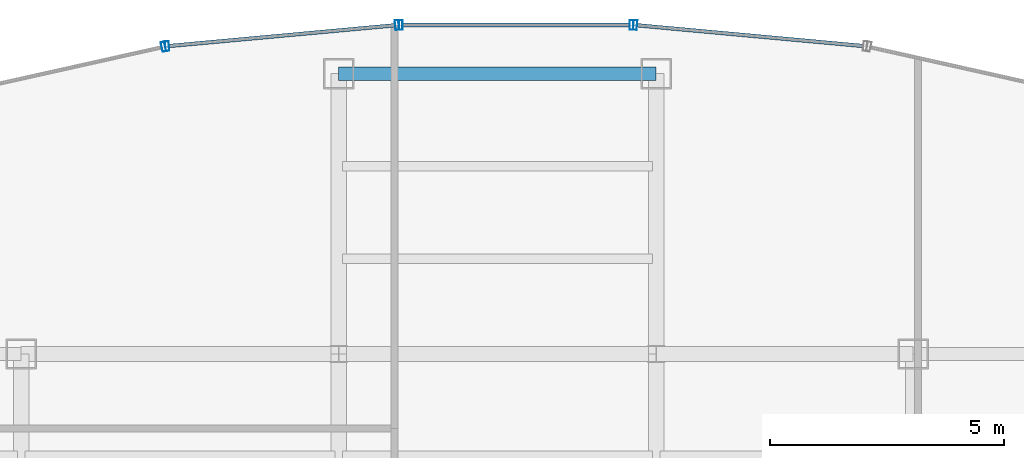
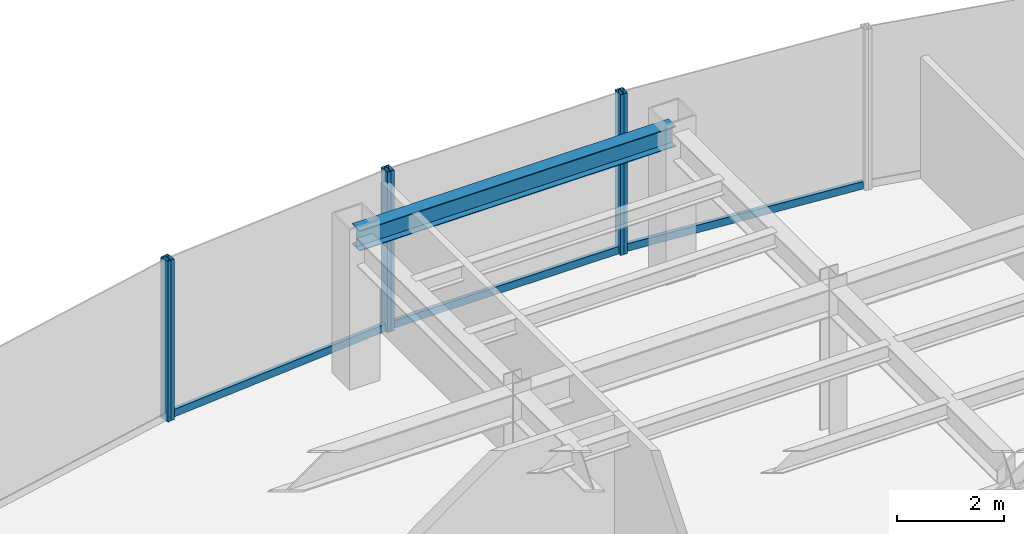
# One storey, part 16 of 25: 9 members, 1 beam, 4 elements without a shape of their own.
"""IFC4 building model written with IfcOpenShell, lengths in metres."""

from ifc_helpers import new_model, si_unit, derived_unit, direction, frame, origin, origin_2d, place, context, subcontext, project, spatial, hollow_rectangle, i_section, extrude, source, transform, mapped, material, material_profile, profile_set, type_object, element, aggregate, save


model = new_model("IFC4")

# Units and contexts
model_context = context("Model", 3, precision=1e-05, world=origin(), true_north=direction((0.0, 1.0)))
body_context = subcontext(model_context, "Body", "Model", "MODEL_VIEW")
ifc_project = project(units=[si_unit("LENGTHUNIT", "METRE"), si_unit("AREAUNIT", "SQUARE_METRE"), si_unit("VOLUMEUNIT", "CUBIC_METRE"), si_unit("PLANEANGLEUNIT", "RADIAN"), si_unit("MASSUNIT", "GRAM", prefix="KILO"), derived_unit("THERMALTRANSMITTANCEUNIT", [(si_unit("POWERUNIT", "WATT"), 1), (si_unit("LENGTHUNIT", "METRE"), -2), (si_unit("THERMODYNAMICTEMPERATUREUNIT", "KELVIN"), -1)])], contexts=[model_context])

# Site, building, storey
site_placement = place(None, origin())
site = spatial("IfcSite", under=ifc_project, at=site_placement, CompositionType="ELEMENT")
building_placement = place(site_placement, origin())
building = spatial("IfcBuilding", under=site, at=building_placement, Name="Skarnbrae Concourse Arena and Tower", CompositionType="ELEMENT")
storey_placement = place(building_placement, frame((0.0, 0.0, 155.199951171875)))
storey = spatial("IfcBuildingStorey", under=building, at=storey_placement, Name="L39", CompositionType="ELEMENT", Elevation=155.199951171875)

# Beam
ifc_material_1 = material(Name="Steel CSA G40.21 350W", Category="steel")
ifc_material_profile_1 = material_profile(ifc_material_1, i_section(OverallWidth=0.280029296875, OverallDepth=0.462890625, WebThickness=0.0107421875, FlangeThickness=0.017333984375, at=origin_2d()), Name="W460X113")
ifc_profile_set_1 = profile_set([ifc_material_profile_1], Name="Steel CSA G40.21 350W")
beam_type = type_object("IfcBeamType", Name="BM-SPAN-W460X113", PredefinedType="SPANDREL", material=ifc_profile_set_1)
shared_shape_1 = source(origin(), body_context, "Body", "SweptSolid", [
    extrude(i_section(OverallWidth=0.280029296875, OverallDepth=0.462890625, WebThickness=0.0107421875, FlangeThickness=0.017333984375, at=origin_2d()), origin(), (0.0, 0.0, 1.0), 6.800048828125),
])
beam_placement = place(storey_placement, frame((21.199951171875, 40.39990234375, 3.16845703125), z_axis=(1.0, 0.0, 0.0), x_axis=(0.0, 1.0, 0.0)))
element("IfcBeam", 1, at=beam_placement, inside=storey, type_object=beam_type, Name="L39 Perimeter spandrel Y40.4-1", PredefinedType="SPANDREL", context=body_context, shape_type="MappedRepresentation", body=[
    mapped(shared_shape_1, transform((0.0, 0.0, 0.0))),
])

# Curtain wall, member
ifc_material_2 = material(Name="Bronze anodised aluminium 6063-T6", Category="aluminium")
curtain_wall_type = type_object("IfcCurtainWallType", Name="CW-SYS-03-PORTAL", PredefinedType="USERDEFINED", material=ifc_material_2)
curtain_wall_1_placement = place(storey_placement, origin())
curtain_wall_1 = element("IfcCurtainWall", 2, at=curtain_wall_1_placement, inside=storey, type_object=curtain_wall_type, Name="L39 Unitised curtain wall CW-L39-E10", ObjectType="UNITISED CURTAIN WALL", PredefinedType="USERDEFINED")
ifc_material_profile_2 = material_profile(ifc_material_2, hollow_rectangle(XDim=0.080078125, YDim=0.2099609375, WallThickness=0.00439453125, at=origin_2d()), Name="ALU-MULL-80X210")
ifc_profile_set_2 = profile_set([ifc_material_profile_2], Name="Bronze anodised aluminium 6063-T6")
member_type_1 = type_object("IfcMemberType", Name="CWM-CW-03", PredefinedType="MULLION", material=ifc_profile_set_2)
shared_shape_2 = source(origin(), body_context, "Body", "SweptSolid", [
    extrude(hollow_rectangle(XDim=0.080078125, YDim=0.2099609375, WallThickness=0.00439453125, at=origin_2d()), origin(), (0.0, 0.0, 1.0), 3.650146484375),
])
member_1_placement = place(storey_placement, frame((27.551025390625, 41.44189453125, 0.0), z_axis=(0.0, 0.0, 1.0), x_axis=(-0.995819926016, 0.091338244731, 0.0)))
member_1 = element("IfcMember", 3, at=member_1_placement, type_object=member_type_1, Name="CW-L39-E10 Mullion 2", PredefinedType="MULLION", context=body_context, shape_type="MappedRepresentation", body=[
    mapped(shared_shape_2, transform((0.0, 0.0, 0.0))),
])

# Curtain wall, members
curtain_wall_2_placement = place(storey_placement, origin())
curtain_wall_2 = element("IfcCurtainWall", 4, at=curtain_wall_2_placement, inside=storey, type_object=curtain_wall_type, Name="L39 Unitised curtain wall CW-L39-E11", ObjectType="UNITISED CURTAIN WALL", PredefinedType="USERDEFINED")
member_2_placement = place(storey_placement, frame((27.47119140625, 41.445556640625, 0.0), z_axis=(0.0, 0.0, 1.0), x_axis=(-1.0, 0.0, 0.0)))
member_2 = element("IfcMember", 5, at=member_2_placement, type_object=member_type_1, Name="CW-L39-E11 Mullion 1", PredefinedType="MULLION", context=body_context, shape_type="MappedRepresentation", body=[
    mapped(shared_shape_2, transform((0.0, 0.0, 0.0))),
])
member_3_placement = place(storey_placement, frame((22.52880859375, 41.445556640625, 0.0), z_axis=(0.0, 0.0, 1.0), x_axis=(-1.0, 0.0, 0.0)))
member_3 = element("IfcMember", 6, at=member_3_placement, type_object=member_type_1, Name="CW-L39-E11 Mullion 2", PredefinedType="MULLION", context=body_context, shape_type="MappedRepresentation", body=[
    mapped(shared_shape_2, transform((0.0, 0.0, 0.0))),
])

curtain_wall_3_placement = place(storey_placement, origin())
curtain_wall_3 = element("IfcCurtainWall", 7, at=curtain_wall_3_placement, inside=storey, type_object=curtain_wall_type, Name="L39 Unitised curtain wall CW-L39-E12", ObjectType="UNITISED CURTAIN WALL", PredefinedType="USERDEFINED")
member_4_placement = place(storey_placement, frame((22.448974609375, 41.44189453125, 0.0), z_axis=(0.0, 0.0, 1.0), x_axis=(-0.995819926016, -0.091338244731, 0.0)))
member_4 = element("IfcMember", 8, at=member_4_placement, type_object=member_type_1, Name="CW-L39-E12 Mullion 1", PredefinedType="MULLION", context=body_context, shape_type="MappedRepresentation", body=[
    mapped(shared_shape_2, transform((0.0, 0.0, 0.0))),
])
member_5_placement = place(storey_placement, frame((17.527587890625, 40.990478515625, 0.0), z_axis=(0.0, 0.0, 1.0), x_axis=(-0.995819926016, -0.091338244731, 0.0)))
member_5 = element("IfcMember", 9, at=member_5_placement, type_object=member_type_1, Name="CW-L39-E12 Mullion 2", PredefinedType="MULLION", context=body_context, shape_type="MappedRepresentation", body=[
    mapped(shared_shape_2, transform((0.0, 0.0, 0.0))),
])

# Curtain wall, member
curtain_wall_4_placement = place(storey_placement, origin())
curtain_wall_4 = element("IfcCurtainWall", 10, at=curtain_wall_4_placement, inside=storey, type_object=curtain_wall_type, Name="L39 Unitised curtain wall CW-L39-E13", ObjectType="UNITISED CURTAIN WALL", PredefinedType="USERDEFINED")
member_6_placement = place(storey_placement, frame((17.44873046875, 40.978271484375, 0.0), z_axis=(0.0, 0.0, 1.0), x_axis=(-0.975936175393, -0.218056372433, 0.0)))
member_6 = element("IfcMember", 11, at=member_6_placement, type_object=member_type_1, Name="CW-L39-E13 Mullion 1", PredefinedType="MULLION", context=body_context, shape_type="MappedRepresentation", body=[
    mapped(shared_shape_2, transform((0.0, 0.0, 0.0))),
])
aggregate(curtain_wall_4, [member_6])

# Member
ifc_material_profile_3 = material_profile(ifc_material_2, hollow_rectangle(XDim=0.080078125, YDim=0.169921875, WallThickness=0.00439453125, at=origin_2d()), Name="ALU-TRAN-80X170")
ifc_profile_set_3 = profile_set([ifc_material_profile_3], Name="Bronze anodised aluminium 6063-T6")
member_type_2 = type_object("IfcMemberType", Name="CWT-CW-03", PredefinedType="USERDEFINED", material=ifc_profile_set_3)
shared_shape_3 = source(origin(), body_context, "Body", "SweptSolid", [
    extrude(hollow_rectangle(XDim=0.080078125, YDim=0.169921875, WallThickness=0.00439453125, at=origin_2d()), origin(), (0.0, 0.0, 1.0), 4.86181640625),
])
member_7_placement = place(storey_placement, frame((32.4326171875, 40.994140625, 0.0849609375), z_axis=(-0.995819615433, 0.091341630804, 0.0), x_axis=(-0.091341630804, -0.995819615433, 0.0)))
member_7 = element("IfcMember", 12, at=member_7_placement, type_object=member_type_2, Name="CW-L39-E10 Transom 1", ObjectType="TRANSOM", PredefinedType="USERDEFINED", context=body_context, shape_type="MappedRepresentation", body=[
    mapped(shared_shape_3, transform((0.0, 0.0, 0.0))),
])

aggregate(curtain_wall_1, [member_1, member_7])

member_8_placement = place(storey_placement, frame((22.408935546875, 41.438232421875, 0.0849609375), z_axis=(-0.995819615433, -0.091341630804, 0.0), x_axis=(0.091341630804, -0.995819615433, 0.0)))
member_8 = element("IfcMember", 13, at=member_8_placement, type_object=member_type_2, Name="CW-L39-E12 Transom 1", ObjectType="TRANSOM", PredefinedType="USERDEFINED", context=body_context, shape_type="MappedRepresentation", body=[
    mapped(shared_shape_3, transform((0.0, 0.0, 0.0))),
])

aggregate(curtain_wall_3, [member_4, member_5, member_8])

shared_shape_4 = source(origin(), body_context, "Body", "SweptSolid", [
    extrude(hollow_rectangle(XDim=0.080078125, YDim=0.169921875, WallThickness=0.00439453125, at=origin_2d()), origin(), (0.0, 0.0, 1.0), 4.86279296875),
])
member_9_placement = place(storey_placement, frame((27.431396484375, 41.445556640625, 0.0849609375), z_axis=(-1.0, 0.0, 0.0), x_axis=(0.0, -1.0, 0.0)))
member_9 = element("IfcMember", 14, at=member_9_placement, type_object=member_type_2, Name="CW-L39-E11 Transom 1", ObjectType="TRANSOM", PredefinedType="USERDEFINED", context=body_context, shape_type="MappedRepresentation", body=[
    mapped(shared_shape_4, transform((0.0, 0.0, 0.0))),
])

aggregate(curtain_wall_2, [member_2, member_3, member_9])

save(model, "model.ifc")
